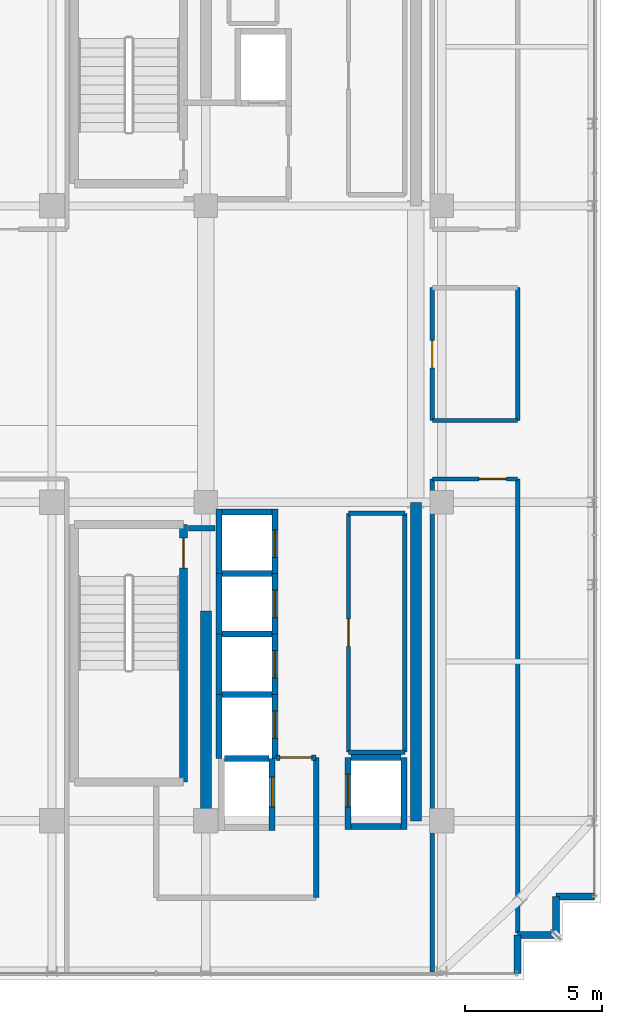
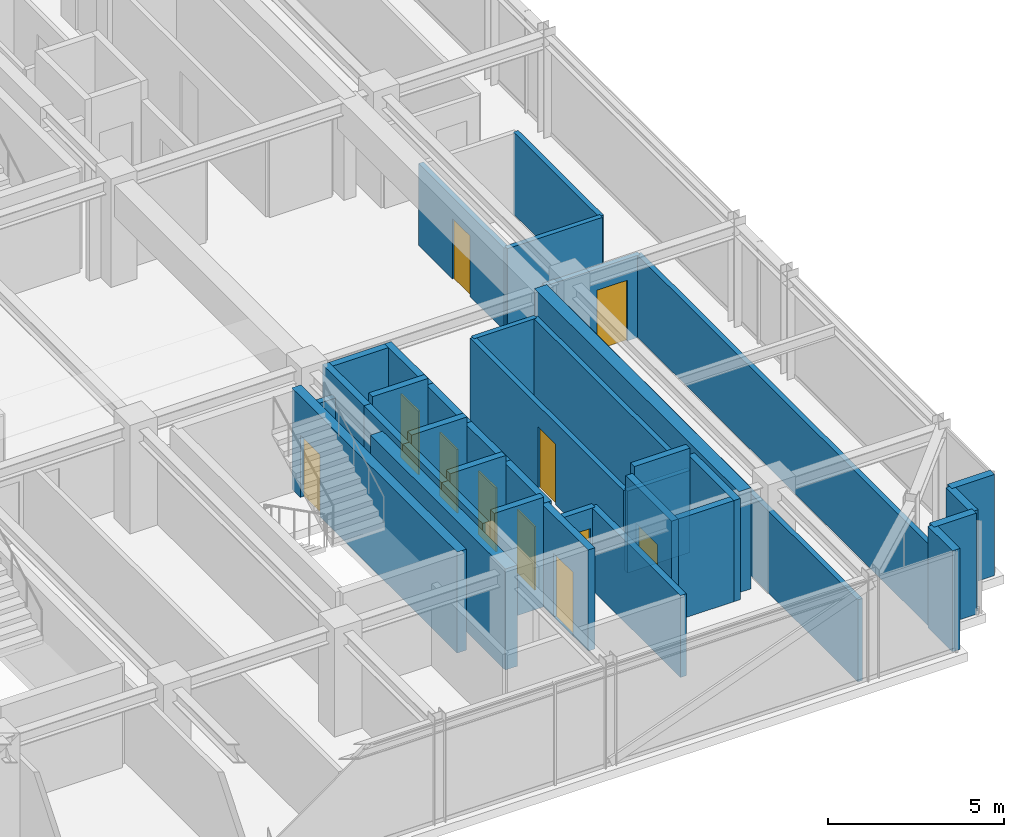
# One storey, part 31 of 36: 38 walls, 11 doors, 11 openings.
"""IFC4 building model written with IfcOpenShell, lengths in metres."""

from ifc_helpers import new_model, si_unit, direction, frame, frame_2d, origin, place, context, subcontext, project, spatial, rectangle, extrude, source, transform, mapped, material, layer, layer_set, type_object, element, fill, save


model = new_model("IFC4")

# Units and contexts
model_context = context("Model", 3, precision=1e-05, world=origin(), true_north=direction((0.0, 1.0)))
body_context = subcontext(model_context, "Body", "Model", "MODEL_VIEW")
ifc_project = project(units=[si_unit("LENGTHUNIT", "METRE"), si_unit("AREAUNIT", "SQUARE_METRE"), si_unit("VOLUMEUNIT", "CUBIC_METRE"), si_unit("PLANEANGLEUNIT", "RADIAN"), si_unit("MASSUNIT", "GRAM", prefix="KILO")], contexts=[model_context])

# Site, building, storey
site_placement = place(None, origin())
site = spatial("IfcSite", under=ifc_project, at=site_placement, CompositionType="ELEMENT")
building_placement = place(site_placement, origin())
building = spatial("IfcBuilding", under=site, at=building_placement, Name="Nahalor Promenade Grand Hotel", CompositionType="ELEMENT")
storey_placement = place(building_placement, frame((0.0, 0.0, 319.550048828125)))
storey = spatial("IfcBuildingStorey", under=building, at=storey_placement, Name="L82", CompositionType="ELEMENT", Elevation=319.550048828125)

# Walls
ifc_material_1 = material(Name="Concrete B-50 (C40/50)", Category="concrete")
ifc_layer_1 = layer(ifc_material_1, 0.39990234375)
ifc_layer_set_1 = layer_set([ifc_layer_1], Name="Concrete B-50 (C40/50)")
wall_type_1 = type_object("IfcWallType", Name="Wall-CoreShear-400", PredefinedType="SHEAR", material=ifc_layer_set_1)
shared_shape_1 = source(origin(), body_context, "Body", "SweptSolid", [
    extrude(rectangle(XDim=7.64990234375, YDim=0.39990234375, at=frame_2d((3.824951171875, 0.0))), origin(), (0.0, 0.0, 1.0), 3.5),
])
wall_1_placement = place(storey_placement, frame((8.39990234375, -17.0, 0.0), z_axis=(0.0, 0.0, 1.0), x_axis=(0.0, 1.0, 0.0)))
element("IfcWall", 1, at=wall_1_placement, inside=storey, type_object=wall_type_1, Name="CWALL-L82-SW", PredefinedType="SHEAR", context=body_context, shape_type="MappedRepresentation", body=[
    mapped(shared_shape_1, transform((0.0, 0.0, 0.0), scale=1.0)),
])
shared_shape_2 = source(origin(), body_context, "Body", "SweptSolid", [
    extrude(rectangle(XDim=11.60009765625, YDim=0.39990234375, at=frame_2d((5.800048828125, 0.0))), origin(), (0.0, 0.0, 1.0), 3.5),
])
wall_2_placement = place(storey_placement, frame((16.050048828125, -17.0, 0.0), z_axis=(0.0, 0.0, 1.0), x_axis=(0.0, 1.0, 0.0)))
element("IfcWall", 2, at=wall_2_placement, inside=storey, type_object=wall_type_1, Name="CWALL-L82-SE", PredefinedType="SHEAR", context=body_context, shape_type="MappedRepresentation", body=[
    mapped(shared_shape_2, transform((0.0, 0.0, 0.0), scale=1.0)),
])

# Wall, opening, door
ifc_layer_2 = layer(ifc_material_1, 0.300048828125)
ifc_layer_set_2 = layer_set([ifc_layer_2], Name="Concrete B-50 (C40/50)")
wall_type_2 = type_object("IfcWallType", Name="Wall-ShaftShear-300", PredefinedType="SHEAR", material=ifc_layer_set_2)
shared_shape_3 = source(origin(), body_context, "Body", "SweptSolid", [
    extrude(rectangle(XDim=9.380126953125, YDim=0.300048828125, at=frame_2d((4.68994140625, 0.0))), origin(), (0.0, 0.0, 1.0), 3.5),
])
wall_3_placement = place(storey_placement, frame((7.590087890625, -15.590087890625, 0.0), z_axis=(0.0, 0.0, 1.0), x_axis=(0.0, 1.0, 0.0)))
wall_3 = element("IfcWall", 3, at=wall_3_placement, inside=storey, type_object=wall_type_2, Name="L82 Exit Stair ST2 Shaft Wall E", PredefinedType="SHEAR", context=body_context, shape_type="MappedRepresentation", body=[
    mapped(shared_shape_3, transform((0.0, 0.0, 0.0), scale=1.0)),
])
opening_1_placement = place(wall_3_placement, frame((7.7900390625, 0.0, 0.0)))
opening_1 = element("IfcOpeningElement", 4, at=opening_1_placement, cuts=wall_3, Name="Opening D-ST1", PredefinedType="OPENING", context=body_context, shape_type="SweptSolid", body=[
    extrude(rectangle(XDim=1.10009765625, YDim=2.14990234375, at=frame_2d((0.550048828125, 1.074951171875))), frame((0.0, 0.159912109375, 0.0), z_axis=(0.0, -1.0, 0.0), x_axis=(1.0, 0.0, 0.0)), (0.0, 0.0, 1.0), 0.320068359375),
])
ifc_material_2 = material(Name="Steel S355JR", Category="steel")
door_type_1 = type_object("IfcDoorType", Name="Door-StairFire-1100", OperationType="NOTDEFINED", PredefinedType="DOOR", material=ifc_material_2)
shared_shape_4 = source(origin(), body_context, "Body", "SweptSolid", [
    extrude(rectangle(XDim=1.10009765625, YDim=2.14990234375, at=frame_2d((0.550048828125, 1.074951171875))), frame((0.0, 0.02490234375, 0.0), z_axis=(0.0, -1.0, 0.0), x_axis=(1.0, 0.0, 0.0)), (0.0, 0.0, 1.0), 0.050048828125),
])
door_1_placement = place(opening_1_placement, origin())
door_1 = element("IfcDoor", 5, at=door_1_placement, inside=storey, type_object=door_type_1, Name="DR-STAIR-ST2-L82", OperationType="SINGLE_SWING_LEFT", OverallHeight=2.14990234375, OverallWidth=1.10009765625, PredefinedType="DOOR", context=body_context, shape_type="MappedRepresentation", body=[
    mapped(shared_shape_4, transform((0.0, 0.0, 0.0), scale=1.0)),
])
fill(opening_1, door_1)

# Wall
ifc_layer_3 = layer(ifc_material_1, 0.219970703125)
ifc_layer_set_3 = layer_set([ifc_layer_3], Name="Concrete B-50 (C40/50)")
wall_type_3 = type_object("IfcWallType", Name="Wall-LiftShaft-220", PredefinedType="SHEAR", material=ifc_layer_set_3)
shared_shape_5 = source(origin(), body_context, "Body", "SweptSolid", [
    extrude(rectangle(XDim=2.360107421875, YDim=0.219970703125, at=frame_2d((1.18017578125, 0.0))), origin(), (0.0, 0.0, 1.0), 3.5),
])
wall_4_placement = place(storey_placement, frame((8.8798828125, -8.0, 0.0), z_axis=(0.0, 0.0, 1.0), x_axis=(0.0, 1.0, 0.0)))
element("IfcWall", 6, at=wall_4_placement, inside=storey, type_object=wall_type_3, Name="L82 Lift PL9 Hoistway Wall W", PredefinedType="SHEAR", context=body_context, shape_type="MappedRepresentation", body=[
    mapped(shared_shape_5, transform((0.0, 0.0, 0.0), scale=1.0)),
])

# Wall, opening, door
wall_5_placement = place(storey_placement, frame((10.919921875, -8.0, 0.0), z_axis=(0.0, 0.0, 1.0), x_axis=(0.0, 1.0, 0.0)))
wall_5 = element("IfcWall", 7, at=wall_5_placement, inside=storey, type_object=wall_type_3, Name="L82 Lift PL9 Hoistway Wall E", PredefinedType="SHEAR", context=body_context, shape_type="MappedRepresentation", body=[
    mapped(shared_shape_5, transform((0.0, 0.0, 0.0), scale=1.0)),
])
opening_2_placement = place(wall_5_placement, frame((0.60009765625, 0.0, 0.0)))
opening_2 = element("IfcOpeningElement", 8, at=opening_2_placement, cuts=wall_5, Name="Opening LD-01", PredefinedType="OPENING", context=body_context, shape_type="SweptSolid", body=[
    extrude(rectangle(XDim=1.0, YDim=2.199951171875, at=frame_2d((0.5, 1.10009765625))), frame((0.0, 0.119873046875, 0.0), z_axis=(0.0, -1.0, 0.0), x_axis=(1.0, 0.0, 0.0)), (0.0, 0.0, 1.0), 0.239990234375),
])
door_type_2 = type_object("IfcDoorType", Name="Door-LiftLanding-1000", OperationType="DOUBLE_DOOR_SLIDING", PredefinedType="DOOR", material=ifc_material_2)
shared_shape_6 = source(origin(), body_context, "Body", "SweptSolid", [
    extrude(rectangle(XDim=1.0, YDim=2.199951171875, at=frame_2d((0.5, 1.10009765625))), frame((0.0, 0.02490234375, 0.0), z_axis=(0.0, -1.0, 0.0), x_axis=(1.0, 0.0, 0.0)), (0.0, 0.0, 1.0), 0.050048828125),
])
door_2_placement = place(opening_2_placement, frame((1.0, 0.0, 0.0), z_axis=(0.0, 0.0, 1.0), x_axis=(-1.0, 0.0, 0.0)))
door_2 = element("IfcDoor", 9, at=door_2_placement, inside=storey, type_object=door_type_2, Name="DR-LIFT-PL9-L82", OperationType="DOUBLE_DOOR_SLIDING", OverallHeight=2.199951171875, OverallWidth=1.0, PredefinedType="DOOR", context=body_context, shape_type="MappedRepresentation", body=[
    mapped(shared_shape_6, transform((0.0, 0.0, 0.0), scale=1.0)),
])
fill(opening_2, door_2)

# Walls
shared_shape_7 = source(origin(), body_context, "Body", "SweptSolid", [
    extrude(rectangle(XDim=1.820068359375, YDim=0.219970703125, at=frame_2d((0.91015625, 0.0))), origin(), (0.0, 0.0, 1.0), 3.5),
])
for number, where, z_axis, x_axis, name in (
    (10, (8.989990234375, -5.75, 0.0), (0.0, 0.0, 1.0), (1.0, 0.0, 0.0), "L82 Lift PL9 Hoistway Wall N"),
    (11, (13.68994140625, -17.199951171875, 0.0), (0.0, 0.0, 1.0), (1.0, 0.0, 0.0), "L82 Lift SV2 Hoistway Wall S"),
):
    element("IfcWall", number, at=place(storey_placement, frame(where, z_axis=z_axis, x_axis=x_axis)), inside=storey, type_object=wall_type_3, Name=name, PredefinedType="SHEAR", context=body_context, shape_type="MappedRepresentation", body=[
        mapped(shared_shape_7, transform((0.0, 0.0, 0.0), scale=1.0)),
    ])
shared_shape_8 = source(origin(), body_context, "Body", "SweptSolid", [
    extrude(rectangle(XDim=2.199951171875, YDim=0.219970703125, at=frame_2d((1.10009765625, 0.0))), origin(), (0.0, 0.0, 1.0), 3.5),
])
wall_6_placement = place(storey_placement, frame((8.8798828125, -10.199951171875, 0.0), z_axis=(0.0, 0.0, 1.0), x_axis=(0.0, 1.0, 0.0)))
element("IfcWall", 12, at=wall_6_placement, inside=storey, type_object=wall_type_3, Name="L82 Lift PL10 Hoistway Wall W", PredefinedType="SHEAR", context=body_context, shape_type="MappedRepresentation", body=[
    mapped(shared_shape_8, transform((0.0, 0.0, 0.0), scale=1.0)),
])

# Wall, opening, door
wall_7_placement = place(storey_placement, frame((10.919921875, -10.199951171875, 0.0), z_axis=(0.0, 0.0, 1.0), x_axis=(0.0, 1.0, 0.0)))
wall_7 = element("IfcWall", 13, at=wall_7_placement, inside=storey, type_object=wall_type_3, Name="L82 Lift PL10 Hoistway Wall E", PredefinedType="SHEAR", context=body_context, shape_type="MappedRepresentation", body=[
    mapped(shared_shape_8, transform((0.0, 0.0, 0.0), scale=1.0)),
])
opening_3_placement = place(wall_7_placement, frame((0.60009765625, 0.0, 0.0)))
opening_3 = element("IfcOpeningElement", 14, at=opening_3_placement, cuts=wall_7, Name="Opening LD-01", PredefinedType="OPENING", context=body_context, shape_type="SweptSolid", body=[
    extrude(rectangle(XDim=1.0, YDim=2.199951171875, at=frame_2d((0.5, 1.10009765625))), frame((0.0, 0.119873046875, 0.0), z_axis=(0.0, -1.0, 0.0), x_axis=(1.0, 0.0, 0.0)), (0.0, 0.0, 1.0), 0.239990234375),
])
door_3_placement = place(opening_3_placement, frame((1.0, 0.0, 0.0), z_axis=(0.0, 0.0, 1.0), x_axis=(-1.0, 0.0, 0.0)))
door_3 = element("IfcDoor", 15, at=door_3_placement, inside=storey, type_object=door_type_2, Name="DR-LIFT-PL10-L82", OperationType="DOUBLE_DOOR_SLIDING", OverallHeight=2.199951171875, OverallWidth=1.0, PredefinedType="DOOR", context=body_context, shape_type="MappedRepresentation", body=[
    mapped(shared_shape_6, transform((0.0, 0.0, 0.0), scale=1.0)),
])
fill(opening_3, door_3)

# Wall
wall_8_placement = place(storey_placement, frame((8.8798828125, -12.39990234375, 0.0), z_axis=(0.0, 0.0, 1.0), x_axis=(0.0, 1.0, 0.0)))
element("IfcWall", 16, at=wall_8_placement, inside=storey, type_object=wall_type_3, Name="L82 Lift PL11 Hoistway Wall W", PredefinedType="SHEAR", context=body_context, shape_type="MappedRepresentation", body=[
    mapped(shared_shape_8, transform((0.0, 0.0, 0.0), scale=1.0)),
])

# Wall, opening, door
wall_9_placement = place(storey_placement, frame((10.919921875, -12.39990234375, 0.0), z_axis=(0.0, 0.0, 1.0), x_axis=(0.0, 1.0, 0.0)))
wall_9 = element("IfcWall", 17, at=wall_9_placement, inside=storey, type_object=wall_type_3, Name="L82 Lift PL11 Hoistway Wall E", PredefinedType="SHEAR", context=body_context, shape_type="MappedRepresentation", body=[
    mapped(shared_shape_8, transform((0.0, 0.0, 0.0), scale=1.0)),
])
opening_4_placement = place(wall_9_placement, frame((0.60009765625, 0.0, 0.0)))
opening_4 = element("IfcOpeningElement", 18, at=opening_4_placement, cuts=wall_9, Name="Opening LD-01", PredefinedType="OPENING", context=body_context, shape_type="SweptSolid", body=[
    extrude(rectangle(XDim=1.0, YDim=2.199951171875, at=frame_2d((0.5, 1.10009765625))), frame((0.0, 0.119873046875, 0.0), z_axis=(0.0, -1.0, 0.0), x_axis=(1.0, 0.0, 0.0)), (0.0, 0.0, 1.0), 0.239990234375),
])
door_4_placement = place(opening_4_placement, frame((1.0, 0.0, 0.0), z_axis=(0.0, 0.0, 1.0), x_axis=(-1.0, 0.0, 0.0)))
door_4 = element("IfcDoor", 19, at=door_4_placement, inside=storey, type_object=door_type_2, Name="DR-LIFT-PL11-L82", OperationType="DOUBLE_DOOR_SLIDING", OverallHeight=2.199951171875, OverallWidth=1.0, PredefinedType="DOOR", context=body_context, shape_type="MappedRepresentation", body=[
    mapped(shared_shape_6, transform((0.0, 0.0, 0.0), scale=1.0)),
])
fill(opening_4, door_4)

# Walls
shared_shape_9 = source(origin(), body_context, "Body", "SweptSolid", [
    extrude(rectangle(XDim=1.820068359375, YDim=0.219970703125, at=frame_2d((0.91015625, 0.0))), origin(), (0.0, 0.0, 1.0), 3.800048828125),
])
for number, where, z_axis, x_axis, name in (
    (20, (8.989990234375, -8.0, 0.0), (0.0, 0.0, 1.0), (1.0, 0.0, 0.0), "L82 Lift PL10 Hoistway Wall N"),
    (21, (8.989990234375, -10.199951171875, 0.0), (0.0, 0.0, 1.0), (1.0, 0.0, 0.0), "L82 Lift PL11 Hoistway Wall N"),
    (22, (8.989990234375, -12.39990234375, 0.0), (0.0, 0.0, 1.0), (1.0, 0.0, 0.0), "L82 Lift PL12 Hoistway Wall N"),
    (23, (13.68994140625, -14.699951171875, 0.0), (0.0, 0.0, 1.0), (1.0, 0.0, 0.0), "L82 Lift SV2 Hoistway Wall N"),
):
    element("IfcWall", number, at=place(storey_placement, frame(where, z_axis=z_axis, x_axis=x_axis)), inside=storey, type_object=wall_type_3, Name=name, PredefinedType="SHEAR", context=body_context, shape_type="MappedRepresentation", body=[
        mapped(shared_shape_9, transform((0.0, 0.0, 0.0), scale=1.0)),
    ])
shared_shape_10 = source(origin(), body_context, "Body", "SweptSolid", [
    extrude(rectangle(XDim=2.3251953125, YDim=0.219970703125, at=frame_2d((1.16259765625, 0.0))), origin(), (0.0, 0.0, 1.0), 3.5),
])
wall_10_placement = place(storey_placement, frame((8.8798828125, -14.72509765625, 0.0), z_axis=(0.0, 0.0, 1.0), x_axis=(0.0, 1.0, 0.0)))
element("IfcWall", 24, at=wall_10_placement, inside=storey, type_object=wall_type_3, Name="L82 Lift PL12 Hoistway Wall W", PredefinedType="SHEAR", context=body_context, shape_type="MappedRepresentation", body=[
    mapped(shared_shape_10, transform((0.0, 0.0, 0.0), scale=1.0)),
])

# Wall, opening, door
wall_11_placement = place(storey_placement, frame((10.919921875, -14.72509765625, 0.0), z_axis=(0.0, 0.0, 1.0), x_axis=(0.0, 1.0, 0.0)))
wall_11 = element("IfcWall", 25, at=wall_11_placement, inside=storey, type_object=wall_type_3, Name="L82 Lift PL12 Hoistway Wall E", PredefinedType="SHEAR", context=body_context, shape_type="MappedRepresentation", body=[
    mapped(shared_shape_10, transform((0.0, 0.0, 0.0), scale=1.0)),
])
opening_5_placement = place(wall_11_placement, frame((0.72509765625, 0.0, 0.0)))
opening_5 = element("IfcOpeningElement", 26, at=opening_5_placement, cuts=wall_11, Name="Opening LD-01", PredefinedType="OPENING", context=body_context, shape_type="SweptSolid", body=[
    extrude(rectangle(XDim=1.0, YDim=2.199951171875, at=frame_2d((0.5, 1.10009765625))), frame((0.0, 0.119873046875, 0.0), z_axis=(0.0, -1.0, 0.0), x_axis=(1.0, 0.0, 0.0)), (0.0, 0.0, 1.0), 0.239990234375),
])
door_5_placement = place(opening_5_placement, frame((1.0, 0.0, 0.0), z_axis=(0.0, 0.0, 1.0), x_axis=(-1.0, 0.0, 0.0)))
door_5 = element("IfcDoor", 27, at=door_5_placement, inside=storey, type_object=door_type_2, Name="DR-LIFT-PL12-L82", OperationType="DOUBLE_DOOR_SLIDING", OverallHeight=2.199951171875, OverallWidth=1.0, PredefinedType="DOOR", context=body_context, shape_type="MappedRepresentation", body=[
    mapped(shared_shape_6, transform((0.0, 0.0, 0.0), scale=1.0)),
])
fill(opening_5, door_5)

shared_shape_11 = source(origin(), body_context, "Body", "SweptSolid", [
    extrude(rectangle(XDim=2.635009765625, YDim=0.219970703125, at=frame_2d((1.3173828125, 0.0))), origin(), (0.0, 0.0, 1.0), 3.5),
])
wall_12_placement = place(storey_placement, frame((10.820068359375, -17.360107421875, 0.0), z_axis=(0.0, 0.0, 1.0), x_axis=(0.0, 1.0, 0.0)))
wall_12 = element("IfcWall", 28, at=wall_12_placement, inside=storey, type_object=wall_type_3, Name="L82 Lift FL2 Hoistway Wall E", PredefinedType="SHEAR", context=body_context, shape_type="MappedRepresentation", body=[
    mapped(shared_shape_11, transform((0.0, 0.0, 0.0), scale=1.0)),
])
opening_6_placement = place(wall_12_placement, frame((0.860107421875, 0.0, 0.0)))
opening_6 = element("IfcOpeningElement", 29, at=opening_6_placement, cuts=wall_12, Name="Opening LD-02", PredefinedType="OPENING", context=body_context, shape_type="SweptSolid", body=[
    extrude(rectangle(XDim=1.10009765625, YDim=2.199951171875, at=frame_2d((0.550048828125, 1.10009765625))), frame((0.0, 0.119873046875, 0.0), z_axis=(0.0, -1.0, 0.0), x_axis=(1.0, 0.0, 0.0)), (0.0, 0.0, 1.0), 0.239990234375),
])
door_type_3 = type_object("IfcDoorType", Name="Door-LiftFF-1100", OperationType="DOUBLE_DOOR_SLIDING", PredefinedType="DOOR", material=ifc_material_2)
shared_shape_12 = source(origin(), body_context, "Body", "SweptSolid", [
    extrude(rectangle(XDim=1.10009765625, YDim=2.199951171875, at=frame_2d((0.550048828125, 1.10009765625))), frame((0.0, 0.02490234375, 0.0), z_axis=(0.0, -1.0, 0.0), x_axis=(1.0, 0.0, 0.0)), (0.0, 0.0, 1.0), 0.050048828125),
])
door_6_placement = place(opening_6_placement, frame((1.10009765625, 0.0, 0.0), z_axis=(0.0, 0.0, 1.0), x_axis=(-1.0, 0.0, 0.0)))
door_6 = element("IfcDoor", 30, at=door_6_placement, inside=storey, type_object=door_type_3, Name="DR-LIFT-FL2-L82", OperationType="DOUBLE_DOOR_SLIDING", OverallHeight=2.199951171875, OverallWidth=1.10009765625, PredefinedType="DOOR", context=body_context, shape_type="MappedRepresentation", body=[
    mapped(shared_shape_12, transform((0.0, 0.0, 0.0), scale=1.0)),
])
fill(opening_6, door_6)

# Wall
shared_shape_13 = source(origin(), body_context, "Body", "SweptSolid", [
    extrude(rectangle(XDim=1.619873046875, YDim=0.219970703125, at=frame_2d((0.81005859375, 0.0))), origin(), (0.0, 0.0, 1.0), 3.800048828125),
])
wall_13_placement = place(storey_placement, frame((9.090087890625, -14.72509765625, 0.0), z_axis=(0.0, 0.0, 1.0), x_axis=(1.0, 0.0, 0.0)))
element("IfcWall", 31, at=wall_13_placement, inside=storey, type_object=wall_type_3, Name="L82 Lift FL2 Hoistway Wall N", PredefinedType="SHEAR", context=body_context, shape_type="MappedRepresentation", body=[
    mapped(shared_shape_13, transform((0.0, 0.0, 0.0), scale=1.0)),
])

# Wall, opening, door
shared_shape_14 = source(origin(), body_context, "Body", "SweptSolid", [
    extrude(rectangle(XDim=2.610107421875, YDim=0.219970703125, at=frame_2d((1.30517578125, 0.0))), origin(), (0.0, 0.0, 1.0), 3.5),
])
wall_14_placement = place(storey_placement, frame((13.580078125, -17.31005859375, 0.0), z_axis=(0.0, 0.0, 1.0), x_axis=(0.0, 1.0, 0.0)))
wall_14 = element("IfcWall", 32, at=wall_14_placement, inside=storey, type_object=wall_type_3, Name="L82 Lift SV2 Hoistway Wall W", PredefinedType="SHEAR", context=body_context, shape_type="MappedRepresentation", body=[
    mapped(shared_shape_14, transform((0.0, 0.0, 0.0), scale=1.0)),
])
opening_7_placement = place(wall_14_placement, frame((0.81005859375, 0.0, 0.0)))
opening_7 = element("IfcOpeningElement", 33, at=opening_7_placement, cuts=wall_14, Name="Opening LD-03", PredefinedType="OPENING", context=body_context, shape_type="SweptSolid", body=[
    extrude(rectangle(XDim=1.199951171875, YDim=2.199951171875, at=frame_2d((0.60009765625, 1.10009765625))), frame((0.0, 0.119873046875, 0.0), z_axis=(0.0, -1.0, 0.0), x_axis=(1.0, 0.0, 0.0)), (0.0, 0.0, 1.0), 0.239990234375),
])
door_type_4 = type_object("IfcDoorType", Name="Door-LiftService-1200", OperationType="DOUBLE_DOOR_SLIDING", PredefinedType="DOOR", material=ifc_material_2)
shared_shape_15 = source(origin(), body_context, "Body", "SweptSolid", [
    extrude(rectangle(XDim=1.199951171875, YDim=2.199951171875, at=frame_2d((0.60009765625, 1.10009765625))), frame((0.0, 0.02490234375, 0.0), z_axis=(0.0, -1.0, 0.0), x_axis=(1.0, 0.0, 0.0)), (0.0, 0.0, 1.0), 0.050048828125),
])
door_7_placement = place(opening_7_placement, origin())
door_7 = element("IfcDoor", 34, at=door_7_placement, inside=storey, type_object=door_type_4, Name="DR-LIFT-SV2-L82", OperationType="DOUBLE_DOOR_SLIDING", OverallHeight=2.199951171875, OverallWidth=1.199951171875, PredefinedType="DOOR", context=body_context, shape_type="MappedRepresentation", body=[
    mapped(shared_shape_15, transform((0.0, 0.0, 0.0), scale=1.0)),
])
fill(opening_7, door_7)

# Walls
wall_15_placement = place(storey_placement, frame((15.6201171875, -17.31005859375, 0.0), z_axis=(0.0, 0.0, 1.0), x_axis=(0.0, 1.0, 0.0)))
element("IfcWall", 35, at=wall_15_placement, inside=storey, type_object=wall_type_3, Name="L82 Lift SV2 Hoistway Wall E", PredefinedType="SHEAR", context=body_context, shape_type="MappedRepresentation", body=[
    mapped(shared_shape_14, transform((0.0, 0.0, 0.0), scale=1.0)),
])
ifc_material_3 = material(Name="Concrete B-40 (C32/40)", Category="concrete")
ifc_layer_4 = layer(ifc_material_3, 0.25)
ifc_layer_set_4 = layer_set([ifc_layer_4], Name="Concrete B-40 (C32/40)")
wall_type_4 = type_object("IfcWallType", Name="Wall-BronzePier-250", PredefinedType="STANDARD", material=ifc_layer_set_4)
shared_shape_16 = source(origin(), body_context, "Body", "SweptSolid", [
    extrude(rectangle(XDim=1.400146484375, YDim=0.25, at=frame_2d((0.7001953125, 0.0))), origin(), (0.0, 0.0, 1.0), 3.5),
])
for number, where, z_axis, x_axis, name in (
    (36, (19.760009765625, -22.56005859375, 0.0), (0.0, 0.0, 1.0), (0.0, 1.0, 0.0), "W-L82-SR-01"),
    (37, (21.159912109375, -19.760009765625, 0.0), (0.0, 0.0, 1.0), (1.0, 0.0, 0.0), "W-L82-SR-04"),
):
    element("IfcWall", number, at=place(storey_placement, frame(where, z_axis=z_axis, x_axis=x_axis)), inside=storey, type_object=wall_type_4, Name=name, PredefinedType="STANDARD", context=body_context, shape_type="MappedRepresentation", body=[
        mapped(shared_shape_16, transform((0.0, 0.0, 0.0), scale=1.0)),
    ])
shared_shape_17 = source(origin(), body_context, "Body", "SweptSolid", [
    extrude(rectangle(XDim=1.39990234375, YDim=0.25, at=frame_2d((0.699951171875, 0.0))), origin(), (0.0, 0.0, 1.0), 3.5),
])
for number, where, z_axis, x_axis, name in (
    (38, (19.760009765625, -21.159912109375, 0.0), (0.0, 0.0, 1.0), (1.0, 0.0, 0.0), "W-L82-SR-02"),
    (39, (21.159912109375, -21.159912109375, 0.0), (0.0, 0.0, 1.0), (0.0, 1.0, 0.0), "W-L82-SR-03"),
):
    element("IfcWall", number, at=place(storey_placement, frame(where, z_axis=z_axis, x_axis=x_axis)), inside=storey, type_object=wall_type_4, Name=name, PredefinedType="STANDARD", context=body_context, shape_type="MappedRepresentation", body=[
        mapped(shared_shape_17, transform((0.0, 0.0, 0.0), scale=1.0)),
    ])
ifc_layer_5 = layer(ifc_material_3, 0.199951171875)
ifc_layer_set_5 = layer_set([ifc_layer_5], Name="Concrete B-40 (C32/40)")
wall_type_5 = type_object("IfcWallType", Name="Wall-PartFire-200", PredefinedType="PARTITIONING", material=ifc_layer_set_5)
shared_shape_18 = source(origin(), body_context, "Body", "SweptSolid", [
    extrude(rectangle(XDim=5.10009765625, YDim=0.199951171875, at=frame_2d((2.550048828125, 0.0))), origin(), (0.0, 0.0, 1.0), 2.83984375),
])
wall_16_placement = place(storey_placement, frame((12.419921875, -19.800048828125, 0.0), z_axis=(0.0, 0.0, 1.0), x_axis=(0.0, 1.0, 0.0)))
element("IfcWall", 40, at=wall_16_placement, inside=storey, type_object=wall_type_5, Name="W-L82-FF2-E", PredefinedType="PARTITIONING", context=body_context, shape_type="MappedRepresentation", body=[
    mapped(shared_shape_18, transform((0.0, 0.0, 0.0), scale=1.0)),
])

# Wall, opening, door
shared_shape_19 = source(origin(), body_context, "Body", "SweptSolid", [
    extrude(rectangle(XDim=1.4599609375, YDim=0.199951171875, at=frame_2d((0.72998046875, 0.0))), origin(), (0.0, 0.0, 1.0), 2.83984375),
])
wall_17_placement = place(storey_placement, frame((10.9599609375, -14.699951171875, 0.0), z_axis=(0.0, 0.0, 1.0), x_axis=(1.0, 0.0, 0.0)))
wall_17 = element("IfcWall", 41, at=wall_17_placement, inside=storey, type_object=wall_type_5, Name="W-L82-FF2-N1", PredefinedType="PARTITIONING", context=body_context, shape_type="MappedRepresentation", body=[
    mapped(shared_shape_19, transform((0.0, 0.0, 0.0), scale=1.0)),
])
opening_8_placement = place(wall_17_placement, frame((0.14501953125, 0.0, 0.0)))
opening_8 = element("IfcOpeningElement", 42, at=opening_8_placement, cuts=wall_17, Name="Opening D-FF1", PredefinedType="OPENING", context=body_context, shape_type="SweptSolid", body=[
    extrude(rectangle(XDim=1.14990234375, YDim=2.14990234375, at=frame_2d((0.574951171875, 1.074951171875))), frame((0.0, 0.10986328125, 0.0), z_axis=(0.0, -1.0, 0.0), x_axis=(1.0, 0.0, 0.0)), (0.0, 0.0, 1.0), 0.219970703125),
])
door_type_5 = type_object("IfcDoorType", Name="Door-FFLobby-1150", OperationType="NOTDEFINED", PredefinedType="DOOR", material=ifc_material_2)
shared_shape_20 = source(origin(), body_context, "Body", "SweptSolid", [
    extrude(rectangle(XDim=1.14990234375, YDim=2.14990234375, at=frame_2d((0.574951171875, 1.074951171875))), frame((0.0, 0.02490234375, 0.0), z_axis=(0.0, -1.0, 0.0), x_axis=(1.0, 0.0, 0.0)), (0.0, 0.0, 1.0), 0.050048828125),
])
door_8_placement = place(opening_8_placement, origin())
door_8 = element("IfcDoor", 43, at=door_8_placement, inside=storey, type_object=door_type_5, Name="DR-L82-FFL2", OperationType="SINGLE_SWING_LEFT", OverallHeight=2.14990234375, OverallWidth=1.14990234375, PredefinedType="DOOR", context=body_context, shape_type="MappedRepresentation", body=[
    mapped(shared_shape_20, transform((0.0, 0.0, 0.0), scale=1.0)),
])
fill(opening_8, door_8)

# Walls
shared_shape_21 = source(origin(), body_context, "Body", "SweptSolid", [
    extrude(rectangle(XDim=0.969970703125, YDim=0.199951171875, at=frame_2d((0.48486328125, 0.0))), origin(), (0.0, 0.0, 1.0), 2.83984375),
])
wall_18_placement = place(storey_placement, frame((7.77001953125, -6.35009765625, 0.0), z_axis=(0.0, 0.0, 1.0), x_axis=(1.0, 0.0, 0.0)))
element("IfcWall", 44, at=wall_18_placement, inside=storey, type_object=wall_type_5, Name="W-L82-FF2-N2", PredefinedType="PARTITIONING", context=body_context, shape_type="MappedRepresentation", body=[
    mapped(shared_shape_21, transform((0.0, 0.0, 0.0), scale=1.0)),
])
ifc_material_4 = material(Name="Acoustic Mineral Gypsum", Category="gypsum")
ifc_layer_6 = layer(ifc_material_4, 0.159912109375)
ifc_layer_set_6 = layer_set([ifc_layer_6], Name="Acoustic Mineral Gypsum")
wall_type_6 = type_object("IfcWallType", Name="Wall-PartCorridor-160", PredefinedType="PARTITIONING", material=ifc_layer_set_6)
shared_shape_22 = source(origin(), body_context, "Body", "SweptSolid", [
    extrude(rectangle(XDim=2.0498046875, YDim=0.159912109375, at=frame_2d((1.02490234375, 0.0))), origin(), (0.0, 0.0, 1.0), 2.83984375),
])
for number, where, z_axis, x_axis, name in (
    (45, (13.60009765625, -14.5, 0.0), (0.0, 0.0, 1.0), (1.0, 0.0, 0.0), "W-L82-FRB2-S"),
    (46, (13.60009765625, -5.800048828125, 0.0), (0.0, 0.0, 1.0), (1.0, 0.0, 0.0), "W-L82-FRB2-N"),
):
    element("IfcWall", number, at=place(storey_placement, frame(where, z_axis=z_axis, x_axis=x_axis)), inside=storey, type_object=wall_type_6, Name=name, PredefinedType="PARTITIONING", context=body_context, shape_type="MappedRepresentation", body=[
        mapped(shared_shape_22, transform((0.0, 0.0, 0.0), scale=1.0)),
    ])

# Wall, opening, door
shared_shape_23 = source(origin(), body_context, "Body", "SweptSolid", [
    extrude(rectangle(XDim=8.699951171875, YDim=0.159912109375, at=frame_2d((4.35009765625, 0.0))), origin(), (0.0, 0.0, 1.0), 2.83984375),
])
wall_19_placement = place(storey_placement, frame((13.60009765625, -14.5, 0.0), z_axis=(0.0, 0.0, 1.0), x_axis=(0.0, 1.0, 0.0)))
wall_19 = element("IfcWall", 47, at=wall_19_placement, inside=storey, type_object=wall_type_6, Name="W-L82-FRB2-W", PredefinedType="PARTITIONING", context=body_context, shape_type="MappedRepresentation", body=[
    mapped(shared_shape_23, transform((0.0, 0.0, 0.0), scale=1.0)),
])
opening_9_placement = place(wall_19_placement, frame((3.85009765625, 0.0, 0.0)))
opening_9 = element("IfcOpeningElement", 48, at=opening_9_placement, cuts=wall_19, Name="Opening D-04", PredefinedType="OPENING", context=body_context, shape_type="SweptSolid", body=[
    extrude(rectangle(XDim=1.0, YDim=2.10009765625, at=frame_2d((0.5, 1.050048828125))), frame((0.0, 0.08984375, 0.0), z_axis=(0.0, -1.0, 0.0), x_axis=(1.0, 0.0, 0.0)), (0.0, 0.0, 1.0), 0.179931640625),
])
door_type_6 = type_object("IfcDoorType", Name="Door-ServiceFire-1000", OperationType="NOTDEFINED", PredefinedType="DOOR", material=ifc_material_2)
shared_shape_24 = source(origin(), body_context, "Body", "SweptSolid", [
    extrude(rectangle(XDim=1.0, YDim=2.10009765625, at=frame_2d((0.5, 1.050048828125))), frame((0.0, 0.02490234375, 0.0), z_axis=(0.0, -1.0, 0.0), x_axis=(1.0, 0.0, 0.0)), (0.0, 0.0, 1.0), 0.050048828125),
])
door_9_placement = place(opening_9_placement, frame((1.0, 0.0, 0.0), z_axis=(0.0, 0.0, 1.0), x_axis=(-1.0, 0.0, 0.0)))
door_9 = element("IfcDoor", 49, at=door_9_placement, inside=storey, type_object=door_type_6, Name="DR-L82-FRB2", OperationType="SINGLE_SWING_RIGHT", OverallHeight=2.10009765625, OverallWidth=1.0, PredefinedType="DOOR", context=body_context, shape_type="MappedRepresentation", body=[
    mapped(shared_shape_24, transform((0.0, 0.0, 0.0), scale=1.0)),
])
fill(opening_9, door_9)

# Wall
wall_20_placement = place(storey_placement, frame((15.64990234375, -14.5, 0.0), z_axis=(0.0, 0.0, 1.0), x_axis=(0.0, 1.0, 0.0)))
element("IfcWall", 50, at=wall_20_placement, inside=storey, type_object=wall_type_6, Name="W-L82-FRB2-E", PredefinedType="PARTITIONING", context=body_context, shape_type="MappedRepresentation", body=[
    mapped(shared_shape_23, transform((0.0, 0.0, 0.0), scale=1.0)),
])

# Wall, opening, door
shared_shape_25 = source(origin(), body_context, "Body", "SweptSolid", [
    extrude(rectangle(XDim=3.110107421875, YDim=0.159912109375, at=frame_2d((1.55517578125, 0.0))), origin(), (0.0, 0.0, 1.0), 2.83984375),
])
wall_21_placement = place(storey_placement, frame((16.64990234375, -4.550048828125, 0.0), z_axis=(0.0, 0.0, 1.0), x_axis=(1.0, 0.0, 0.0)))
wall_21 = element("IfcWall", 51, at=wall_21_placement, inside=storey, type_object=wall_type_6, Name="W-L82-ESE-N", PredefinedType="PARTITIONING", context=body_context, shape_type="MappedRepresentation", body=[
    mapped(shared_shape_25, transform((0.0, 0.0, 0.0), scale=1.0)),
])
opening_10_placement = place(wall_21_placement, frame((1.700927734375, 0.0, 0.0)))
opening_10 = element("IfcOpeningElement", 52, at=opening_10_placement, cuts=wall_21, Name="Opening D-04", PredefinedType="OPENING", context=body_context, shape_type="SweptSolid", body=[
    extrude(rectangle(XDim=1.0, YDim=2.10009765625, at=frame_2d((0.5, 1.050048828125))), frame((0.0, 0.08984375, 0.0), z_axis=(0.0, -1.0, 0.0), x_axis=(1.0, 0.0, 0.0)), (0.0, 0.0, 1.0), 0.179931640625),
])
door_10_placement = place(opening_10_placement, frame((1.0, 0.0, 0.0), z_axis=(0.0, 0.0, 1.0), x_axis=(-1.0, 0.0, 0.0)))
door_10 = element("IfcDoor", 53, at=door_10_placement, inside=storey, type_object=door_type_6, Name="DR-L82-ESE", OperationType="SINGLE_SWING_RIGHT", OverallHeight=2.10009765625, OverallWidth=1.0, PredefinedType="DOOR", context=body_context, shape_type="MappedRepresentation", body=[
    mapped(shared_shape_24, transform((0.0, 0.0, 0.0), scale=1.0)),
])
fill(opening_10, door_10)

# Walls
wall_22_placement = place(storey_placement, frame((16.64990234375, -2.419921875, 0.0), z_axis=(0.0, 0.0, 1.0), x_axis=(1.0, 0.0, 0.0)))
element("IfcWall", 54, at=wall_22_placement, inside=storey, type_object=wall_type_6, Name="W-L82-ECW-S", PredefinedType="PARTITIONING", context=body_context, shape_type="MappedRepresentation", body=[
    mapped(shared_shape_25, transform((0.0, 0.0, 0.0), scale=1.0)),
])
shared_shape_26 = source(origin(), body_context, "Body", "SweptSolid", [
    extrude(rectangle(XDim=17.949951171875, YDim=0.159912109375, at=frame_2d((8.97509765625, 0.0))), origin(), (0.0, 0.0, 1.0), 2.83984375),
])
wall_23_placement = place(storey_placement, frame((16.64990234375, -22.5, 0.0), z_axis=(0.0, 0.0, 1.0), x_axis=(0.0, 1.0, 0.0)))
element("IfcWall", 55, at=wall_23_placement, inside=storey, type_object=wall_type_6, Name="W-L82-ESE-W", PredefinedType="PARTITIONING", context=body_context, shape_type="MappedRepresentation", body=[
    mapped(shared_shape_26, transform((0.0, 0.0, 0.0), scale=1.0)),
])
shared_shape_27 = source(origin(), body_context, "Body", "SweptSolid", [
    extrude(rectangle(XDim=16.530029296875, YDim=0.159912109375, at=frame_2d((8.26513671875, 0.0))), origin(), (0.0, 0.0, 1.0), 2.83984375),
])
wall_24_placement = place(storey_placement, frame((19.760009765625, -21.080078125, 0.0), z_axis=(0.0, 0.0, 1.0), x_axis=(0.0, 1.0, 0.0)))
element("IfcWall", 56, at=wall_24_placement, inside=storey, type_object=wall_type_6, Name="W-L82-ESE-E", PredefinedType="PARTITIONING", context=body_context, shape_type="MappedRepresentation", body=[
    mapped(shared_shape_27, transform((0.0, 0.0, 0.0), scale=1.0)),
])

# Wall, opening, door
shared_shape_28 = source(origin(), body_context, "Body", "SweptSolid", [
    extrude(rectangle(XDim=4.83984375, YDim=0.159912109375, at=frame_2d((2.419921875, 0.0))), origin(), (0.0, 0.0, 1.0), 2.83984375),
])
wall_25_placement = place(storey_placement, frame((16.64990234375, -2.419921875, 0.0), z_axis=(0.0, 0.0, 1.0), x_axis=(0.0, 1.0, 0.0)))
wall_25 = element("IfcWall", 57, at=wall_25_placement, inside=storey, type_object=wall_type_6, Name="W-L82-ECW-W", PredefinedType="PARTITIONING", context=body_context, shape_type="MappedRepresentation", body=[
    mapped(shared_shape_28, transform((0.0, 0.0, 0.0), scale=1.0)),
])
opening_11_placement = place(wall_25_placement, frame((1.919921875, 0.0, 0.0)))
opening_11 = element("IfcOpeningElement", 58, at=opening_11_placement, cuts=wall_25, Name="Opening D-04", PredefinedType="OPENING", context=body_context, shape_type="SweptSolid", body=[
    extrude(rectangle(XDim=1.0, YDim=2.10009765625, at=frame_2d((0.5, 1.050048828125))), frame((0.0, 0.08984375, 0.0), z_axis=(0.0, -1.0, 0.0), x_axis=(1.0, 0.0, 0.0)), (0.0, 0.0, 1.0), 0.179931640625),
])
door_11_placement = place(opening_11_placement, frame((1.0, 0.0, 0.0), z_axis=(0.0, 0.0, 1.0), x_axis=(-1.0, 0.0, 0.0)))
door_11 = element("IfcDoor", 59, at=door_11_placement, inside=storey, type_object=door_type_6, Name="DR-L82-ECW", OperationType="SINGLE_SWING_LEFT", OverallHeight=2.10009765625, OverallWidth=1.0, PredefinedType="DOOR", context=body_context, shape_type="MappedRepresentation", body=[
    mapped(shared_shape_24, transform((0.0, 0.0, 0.0), scale=1.0)),
])
fill(opening_11, door_11)

# Wall
wall_26_placement = place(storey_placement, frame((19.760009765625, -2.419921875, 0.0), z_axis=(0.0, 0.0, 1.0), x_axis=(0.0, 1.0, 0.0)))
element("IfcWall", 60, at=wall_26_placement, inside=storey, type_object=wall_type_6, Name="W-L82-ECW-E", PredefinedType="PARTITIONING", context=body_context, shape_type="MappedRepresentation", body=[
    mapped(shared_shape_28, transform((0.0, 0.0, 0.0), scale=1.0)),
])

save(model, "model.ifc")
